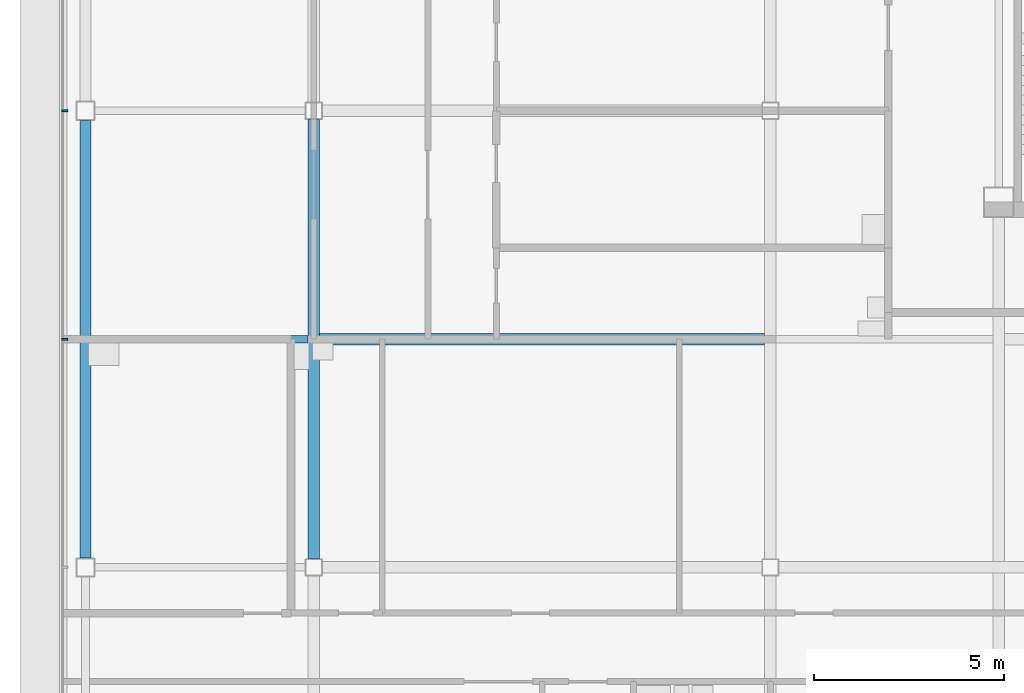
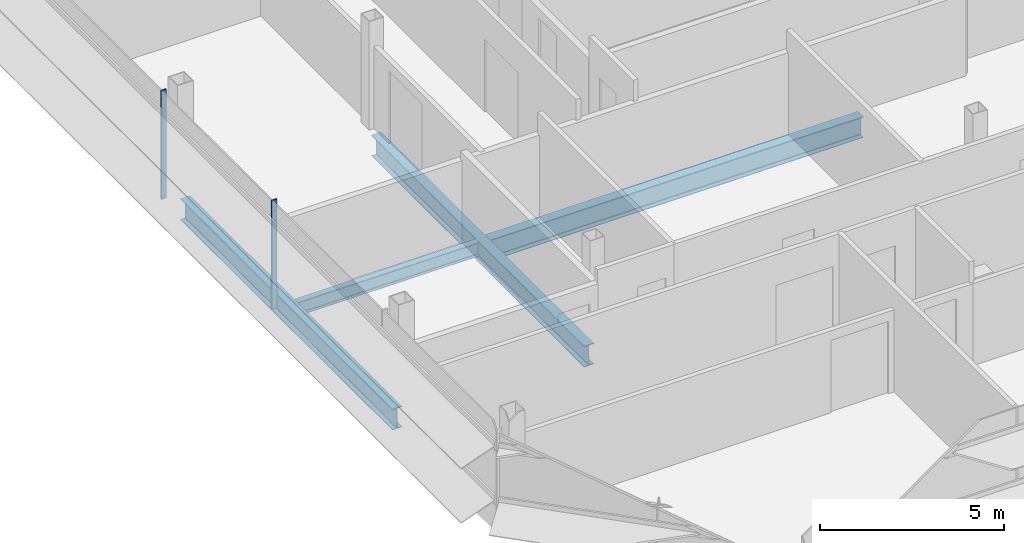
# One storey, part 6 of 28: 4 beams, 2 members, 1 element without a shape of its own.
"""IFC4 building model written with IfcOpenShell, lengths in metres."""

import ifcopenshell
import ifcopenshell.guid

model = None  # the IFC model being written
_history = None  # IfcOwnerHistory: only IFC2X3 demands one
_inside = {}  # id of a spatial element -> (the spatial element, [elements in it])
_under = {}  # id of a project, library or spatial element -> (it, [spatial elements below it])
_declared = {}  # id of a project -> (the project, [libraries it declares])
_typed = {}  # id of a type object -> (the type object, [elements of that type])
_made_of = {}  # id of a material, layer set ... -> (it, [elements and type objects made of it])


def new_model(schema):
    """Start an empty IFC model of exactly this schema.

    Asked for "IFC4X3", IfcOpenShell would pick the latest addendum, in which some entities
    have other attributes; the version numbers below select the first issue.
    IFC2X3 requires an IfcOwnerHistory on every rooted entity: one is made here for all.
    """
    global model, _history
    if schema == "IFC4X3":
        model = ifcopenshell.file(schema_version=(4, 3, 0, 0))
    else:
        model = ifcopenshell.file(schema=schema)
    _inside.clear()
    _under.clear()
    _declared.clear()
    _typed.clear()
    _made_of.clear()
    _history = None
    if model.schema == "IFC2X3":
        org = make("IfcOrganization", Name="unknown")
        user = make(
            "IfcPersonAndOrganization",
            ThePerson=make("IfcPerson", FamilyName="unknown"),
            TheOrganization=org,
        )
        app = make(
            "IfcApplication",
            ApplicationDeveloper=org,
            Version="unknown",
            ApplicationFullName="unknown",
            ApplicationIdentifier="unknown",
        )
        _history = make(
            "IfcOwnerHistory",
            OwningUser=user,
            OwningApplication=app,
            ChangeAction="ADDED",
            CreationDate=0,
        )
    return model


def make(cls, **values):
    """One entity of the class cls with the attributes given. An attribute that is None is left unset."""
    return model.create_entity(
        cls, **{name: value for name, value in values.items() if value is not None}
    )


def rooted(cls, **values):
    """An entity with a GlobalId (a new one), such as an element, a storey or a relation."""
    return make(cls, GlobalId=ifcopenshell.guid.new(), OwnerHistory=_history, **values)


def si_unit(unit_type, name, prefix=None):
    """IfcSIUnit, for example si_unit("LENGTHUNIT", "METRE", prefix="MILLI")."""
    return make("IfcSIUnit", UnitType=unit_type, Prefix=prefix, Name=name)


def assignment(units):
    """IfcUnitAssignment: the units of a project."""
    return None if units is None else make("IfcUnitAssignment", Units=units)


def point(xyz):
    """IfcCartesianPoint."""
    return None if xyz is None else make("IfcCartesianPoint", Coordinates=xyz)


def direction(xyz):
    """IfcDirection."""
    return None if xyz is None else make("IfcDirection", DirectionRatios=xyz)


def frame(location, z_axis=None, x_axis=None):
    """IfcAxis2Placement3D, a coordinate frame: its origin and axes. An axis left out is left unset."""
    return make(
        "IfcAxis2Placement3D",
        Location=point(location),
        Axis=direction(z_axis),
        RefDirection=direction(x_axis),
    )


def frame_2d(location, x_axis=None):
    """IfcAxis2Placement2D, a coordinate frame in the plane: its origin and x axis."""
    return make(
        "IfcAxis2Placement2D", Location=point(location), RefDirection=direction(x_axis)
    )


def origin():
    """The frame at (0, 0, 0) with its axes left unset."""
    return frame((0.0, 0.0, 0.0))


def origin_2d():
    """The frame at (0, 0) in the plane with its x axis left unset."""
    return frame_2d((0.0, 0.0))


def place(relative_to, where):
    """IfcLocalPlacement: puts the frame where relative to a parent placement (None: the world)."""
    return make(
        "IfcLocalPlacement", PlacementRelTo=relative_to, RelativePlacement=where
    )


def context(
    kind, dimensions, precision=None, world=None, true_north=None, identifier=None
):
    """IfcGeometricRepresentationContext, for example the 3D "Model" context."""
    return make(
        "IfcGeometricRepresentationContext",
        ContextIdentifier=identifier,
        ContextType=kind,
        CoordinateSpaceDimension=dimensions,
        Precision=precision,
        WorldCoordinateSystem=world,
        TrueNorth=true_north,
    )


def subcontext(parent, identifier, kind, view, scale=None):
    """IfcGeometricRepresentationSubContext, for example "Body" below "Model"."""
    return make(
        "IfcGeometricRepresentationSubContext",
        ContextIdentifier=identifier,
        ContextType=kind,
        ParentContext=parent,
        TargetScale=scale,
        TargetView=view,
    )


def project(units=None, contexts=None):
    """IfcProject with its units and contexts."""
    return rooted(
        "IfcProject",
        Name="project",
        RepresentationContexts=contexts,
        UnitsInContext=assignment(units),
    )


def spatial(cls, under=None, at=None, **own):
    """A site, building, storey or space (cls), placed at a placement, below another one or the project."""
    s = rooted(cls, ObjectPlacement=at, **own)
    if under is not None:
        _under.setdefault(under.id(), (under, []))[1].append(s)
    return s


def profile(cls, at=None, kind="AREA", **sizes):
    """A parametric profile (cls). Its sizes go by their IFC names, for example OverallWidth=200.0."""
    return make(cls, ProfileType=kind, Position=at, **sizes)


def rectangle(**sizes):
    """IfcRectangleProfileDef."""
    return profile("IfcRectangleProfileDef", **sizes)


def i_section(**sizes):
    """IfcIShapeProfileDef."""
    return profile("IfcIShapeProfileDef", **sizes)


def extrude(swept, where, along, depth):
    """IfcExtrudedAreaSolid: the profile swept, set in the frame where, extruded along a direction by depth."""
    return make(
        "IfcExtrudedAreaSolid",
        SweptArea=swept,
        Position=where,
        ExtrudedDirection=direction(along),
        Depth=depth,
    )


def shape(context_of_items, identifier, shape_type, items):
    """IfcShapeRepresentation: the items that make up one representation, for example the "Body"."""
    return make(
        "IfcShapeRepresentation",
        ContextOfItems=context_of_items,
        RepresentationIdentifier=identifier,
        RepresentationType=shape_type,
        Items=items,
    )


def material(Name=None, Category=None):
    """IfcMaterial."""
    return make("IfcMaterial", Name=Name, Category=Category)


def material_profile(
    of_material, cross_section, Name=None, Category=None, Priority=None
):
    """IfcMaterialProfile: a cross section and its material."""
    return make(
        "IfcMaterialProfile",
        Name=Name,
        Material=of_material,
        Profile=cross_section,
        Priority=Priority,
        Category=Category,
    )


def profile_set(profiles, Name=None, composite=None):
    """IfcMaterialProfileSet."""
    return make(
        "IfcMaterialProfileSet",
        Name=Name,
        MaterialProfiles=profiles,
        CompositeProfile=composite,
    )


def made_of(thing, what):
    """Note that an element or type object is made of a material, layer set ...; save() writes the relation."""
    if what is not None:
        _made_of.setdefault(what.id(), (what, []))[1].append(thing)
    return thing


def type_object(cls, material=None, **own):
    """A type object (cls), such as IfcWallType, which elements share."""
    return made_of(rooted(cls, **own), material)


def element(
    cls,
    number,
    at=None,
    inside=None,
    cuts=None,
    type_object=None,
    material=None,
    context=None,
    identifier="Body",
    shape_type=None,
    held_by="IfcProductDefinitionShape",
    body=None,
    shapes=None,
    **own,
):
    """One element of the class cls, such as IfcWall. Its Tag is "e" and its number.

    at: its placement. inside: the storey or other place that contains it. cuts: it is an
    opening in that element (IfcRelVoidsElement). A single representation is given by context,
    identifier, shape_type and body (its items); several are given by shapes. held_by: the class
    of the entity that holds the representations. save() writes the other relations.
    """
    e = rooted(cls, Tag="e%d" % number, ObjectPlacement=at, **own)
    if body is not None:
        shapes = [shape(context, identifier, shape_type, body)]
    if shapes is not None:
        e.Representation = make(held_by, Representations=shapes)
    if inside is not None:
        _inside.setdefault(inside.id(), (inside, []))[1].append(e)
    if cuts is not None:
        rooted(
            "IfcRelVoidsElement", RelatingBuildingElement=cuts, RelatedOpeningElement=e
        )
    if type_object is not None:
        _typed.setdefault(type_object.id(), (type_object, []))[1].append(e)
    return made_of(e, material)


def aggregate(whole, parts):
    """IfcRelAggregates: a whole, such as a stair, and the parts it consists of."""
    return rooted("IfcRelAggregates", RelatingObject=whole, RelatedObjects=parts)


def save(model, path):
    """Write the relations noted so far, then the file.

    IfcRelAggregates (storeys below a building ...), IfcRelContainedInSpatialStructure (elements
    in a storey), IfcRelDefinesByType, IfcRelAssociatesMaterial and IfcRelDeclares: one each for
    every whole, place, type object, material and project.
    """
    for whole, parts in _under.values():
        aggregate(whole, parts)
    for where, things in _inside.values():
        rooted(
            "IfcRelContainedInSpatialStructure",
            RelatedElements=things,
            RelatingStructure=where,
        )
    for kind, things in _typed.values():
        rooted("IfcRelDefinesByType", RelatedObjects=things, RelatingType=kind)
    for what, things in _made_of.values():
        rooted("IfcRelAssociatesMaterial", RelatedObjects=things, RelatingMaterial=what)
    for by, libraries in _declared.values():
        rooted("IfcRelDeclares", RelatingContext=by, RelatedDefinitions=libraries)
    model.write(path)


model = new_model("IFC4")

# Units and contexts
model_context = context("Model", 3, precision=1e-05, world=origin(), true_north=direction((0.0, 1.0)))
body_context = subcontext(model_context, "Body", "Model", "MODEL_VIEW")
ifc_project = project(units=[si_unit("LENGTHUNIT", "METRE"), si_unit("AREAUNIT", "SQUARE_METRE"), si_unit("VOLUMEUNIT", "CUBIC_METRE"), si_unit("PLANEANGLEUNIT", "RADIAN"), si_unit("MASSUNIT", "GRAM", prefix="KILO")], contexts=[model_context])

# Site, building, storey
site_placement = place(None, origin())
site = spatial("IfcSite", under=ifc_project, at=site_placement, CompositionType="ELEMENT")
building_placement = place(site_placement, origin())
building = spatial("IfcBuilding", under=site, at=building_placement, Name="Sorahane Residences", CompositionType="ELEMENT")
storey_placement = place(building_placement, frame((0.0, 0.0, 305.199951171875)))
storey = spatial("IfcBuildingStorey", under=building, at=storey_placement, Name="L72", CompositionType="ELEMENT", Elevation=305.199951171875)

# Curtain wall, members
ifc_material_1 = material(Name="Dark low-e glass and black anodised aluminium", Category="aluminium")
curtain_wall_type = type_object("IfcCurtainWallType", Name="Curtain wall CW-1 Typical unitised wall", PredefinedType="NOTDEFINED", material=ifc_material_1)
curtain_wall_placement = place(storey_placement, origin())
curtain_wall = element("IfcCurtainWall", 1, at=curtain_wall_placement, inside=storey, type_object=curtain_wall_type, Name="CW-1 curtain wall L72 W1", PredefinedType="NOTDEFINED")
ifc_material_2 = material(Name="Black anodised aluminium", Category="aluminium")
ifc_material_profile_1 = material_profile(ifc_material_2, rectangle(XDim=0.159912109375, YDim=0.050048828125, at=origin_2d()), Name="Curtain wall mullion CW-1 black anodised aluminium 50x160")
ifc_profile_set_1 = profile_set([ifc_material_profile_1], Name="Black anodised aluminium")
member_type = type_object("IfcMemberType", Name="Curtain wall mullion CW-1 black anodised aluminium 50x160", PredefinedType="MULLION", material=ifc_profile_set_1)
member_1_placement = place(storey_placement, frame((-18.5400390625, 24.0, -0.179931640625), z_axis=(0.0, 0.0, 1.0), x_axis=(-1.0, 0.0, 0.0)))
member_1 = element("IfcMember", 2, at=member_1_placement, type_object=member_type, Name="CW-1 mullion L72 W1.4", PredefinedType="MULLION", context=body_context, shape_type="SweptSolid", body=[
    extrude(rectangle(XDim=0.159912109375, YDim=0.050048828125, at=origin_2d()), origin(), (0.0, 0.0, 1.0), 3.60009765625),
])
member_2_placement = place(storey_placement, frame((-18.5400390625, 18.0, -0.179931640625), z_axis=(0.0, 0.0, 1.0), x_axis=(-1.0, 0.0, 0.0)))
member_2 = element("IfcMember", 3, at=member_2_placement, type_object=member_type, Name="CW-1 mullion L72 W1.5", PredefinedType="MULLION", context=body_context, shape_type="SweptSolid", body=[
    extrude(rectangle(XDim=0.159912109375, YDim=0.050048828125, at=origin_2d()), origin(), (0.0, 0.0, 1.0), 3.60009765625),
])
aggregate(curtain_wall, [member_1, member_2])

# Beams
ifc_material_3 = material(Name="Steel Q355B", Category="steel")
ifc_material_profile_2 = material_profile(ifc_material_3, i_section(OverallWidth=0.199951171875, OverallDepth=0.449951171875, WebThickness=0.009033203125, FlangeThickness=0.013916015625, FilletRadius=0.02001953125, at=origin_2d()), Name="HN 450x200x9x14")
ifc_profile_set_2 = profile_set([ifc_material_profile_2], Name="Steel Q355B")
beam_type_1 = type_object("IfcBeamType", Name="Steel floor beam HN 450x200x9x14 Q355B", PredefinedType="BEAM", material=ifc_profile_set_2)
beam_1_placement = place(storey_placement, frame((-17.85009765625, 18.0, -0.405029296875), z_axis=(1.0, 0.0, 0.0), x_axis=(0.0, 1.0, 0.0)))
element("IfcBeam", 4, at=beam_1_placement, inside=storey, type_object=beam_type_1, Name="Beam L72 076", PredefinedType="BEAM", context=body_context, shape_type="SweptSolid", body=[
    extrude(i_section(OverallWidth=0.199951171875, OverallDepth=0.449951171875, WebThickness=0.009033203125, FlangeThickness=0.013916015625, FilletRadius=0.02001953125, at=origin_2d()), origin(), (0.0, 0.0, 1.0), 5.7001953125),
])
ifc_material_4 = material(Name="Steel Q355B", Category="steel")
ifc_material_profile_3 = material_profile(ifc_material_4, i_section(OverallWidth=0.300048828125, OverallDepth=0.699951171875, WebThickness=0.012939453125, FlangeThickness=0.02392578125, FilletRadius=0.028076171875, at=origin_2d()), Name="HN 700x300x13x24")
ifc_profile_set_3 = profile_set([ifc_material_profile_3], Name="Steel Q355B")
beam_type_2 = type_object("IfcBeamType", Name="Steel floor beam HN 700x300x13x24 Q355B", PredefinedType="BEAM", material=ifc_profile_set_3)
beam_2_placement = place(storey_placement, frame((-18.0, 12.25, -0.530029296875), z_axis=(0.0, 1.0, 0.0), x_axis=(-1.0, 0.0, 0.0)))
element("IfcBeam", 5, at=beam_2_placement, inside=storey, type_object=beam_type_2, Name="Beam L72 021", PredefinedType="BEAM", context=body_context, shape_type="SweptSolid", body=[
    extrude(i_section(OverallWidth=0.300048828125, OverallDepth=0.699951171875, WebThickness=0.012939453125, FlangeThickness=0.02392578125, FilletRadius=0.028076171875, at=origin_2d()), origin(), (0.0, 0.0, 1.0), 11.5),
])
beam_3_placement = place(storey_placement, frame((-12.0, 12.22509765625, -0.530029296875), z_axis=(0.0, 1.0, 0.0), x_axis=(-1.0, 0.0, 0.0)))
element("IfcBeam", 6, at=beam_3_placement, inside=storey, type_object=beam_type_2, Name="Beam L72 025", PredefinedType="BEAM", context=body_context, shape_type="SweptSolid", body=[
    extrude(i_section(OverallWidth=0.300048828125, OverallDepth=0.699951171875, WebThickness=0.012939453125, FlangeThickness=0.02392578125, FilletRadius=0.028076171875, at=origin_2d()), origin(), (0.0, 0.0, 1.0), 11.5498046875),
])
beam_4_placement = place(storey_placement, frame((-11.85009765625, 18.0, -0.530029296875), z_axis=(1.0, 0.0, 0.0), x_axis=(0.0, 1.0, 0.0)))
element("IfcBeam", 7, at=beam_4_placement, inside=storey, type_object=beam_type_2, Name="Beam L72 077", PredefinedType="BEAM", context=body_context, shape_type="SweptSolid", body=[
    extrude(i_section(OverallWidth=0.300048828125, OverallDepth=0.699951171875, WebThickness=0.012939453125, FlangeThickness=0.02392578125, FilletRadius=0.028076171875, at=origin_2d()), origin(), (0.0, 0.0, 1.0), 11.7001953125),
])

save(model, "model.ifc")
